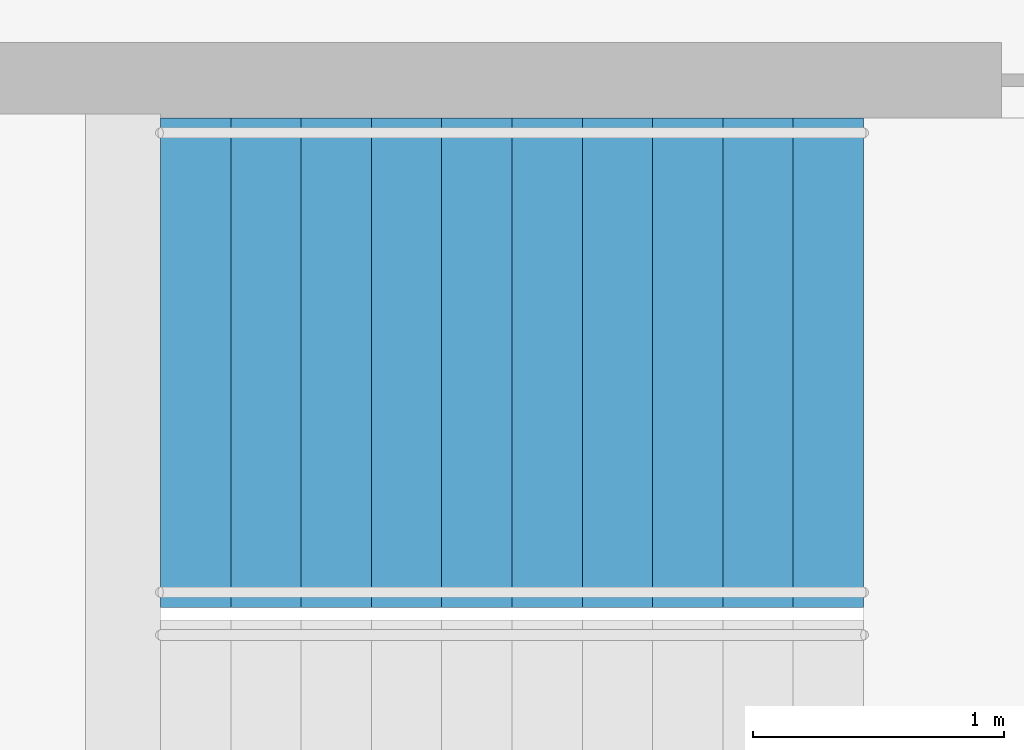
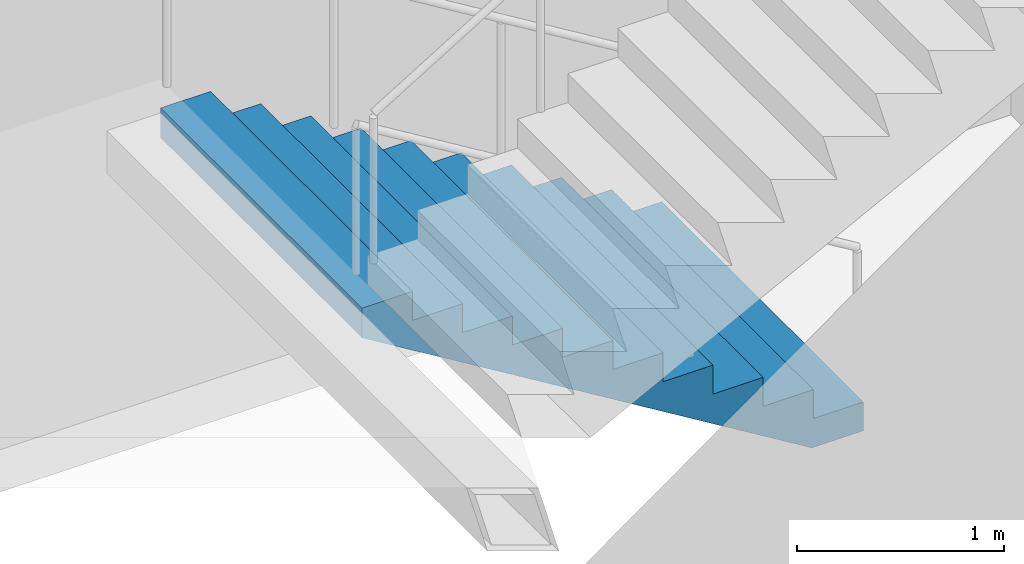
# One storey, part 22 of 23: 1 stair flight, 1 element without a shape of its own.
"""IFC4 building model written with IfcOpenShell, lengths in metres."""

from ifc_helpers import new_model, si_unit, direction, frame, origin, place, context, subcontext, project, spatial, triangles, material, type_object, element, aggregate, save


model = new_model("IFC4")

# Units and contexts
model_context = context("Model", 3, precision=1e-05, world=origin(), true_north=direction((0.0, 1.0)))
body_context = subcontext(model_context, "Body", "Model", "MODEL_VIEW")
ifc_project = project(units=[si_unit("LENGTHUNIT", "METRE"), si_unit("AREAUNIT", "SQUARE_METRE"), si_unit("VOLUMEUNIT", "CUBIC_METRE"), si_unit("PLANEANGLEUNIT", "RADIAN"), si_unit("MASSUNIT", "GRAM", prefix="KILO")], contexts=[model_context])

# Site, building, storey
site_placement = place(None, origin())
site = spatial("IfcSite", under=ifc_project, at=site_placement, CompositionType="ELEMENT")
building_placement = place(site_placement, origin())
building = spatial("IfcBuilding", under=site, at=building_placement, Name="Orbita Commons", CompositionType="ELEMENT")
storey_placement = place(building_placement, frame((0.0, 0.0, 50.199951171875)))
storey = spatial("IfcBuildingStorey", under=building, at=storey_placement, Name="L12", CompositionType="ELEMENT", Elevation=50.199951171875)

# Stair, stair flight
ifc_material_1 = material(Name="Precast concrete C40/50", Category="concrete")
stair_type = type_object("IfcStairType", Name="Exit stair S2 2 flights 11 risers 170", PredefinedType="HALF_TURN_STAIR", material=ifc_material_1)
stair_placement = place(storey_placement, origin())
stair = element("IfcStair", 1, at=stair_placement, inside=storey, type_object=stair_type, Name="Exit stair S2 L12", PredefinedType="HALF_TURN_STAIR")
ifc_material_2 = material(Name="Precast concrete C40/50", Category="concrete")
stair_flight_type = type_object("IfcStairFlightType", Name="Stair flight 11 risers 170 x 280", PredefinedType="STRAIGHT", material=ifc_material_2)
stair_flight_placement = place(storey_placement, frame((63.550048828125, 29.27490234375, 0.0), z_axis=(0.0, 0.0, 1.0), x_axis=(-1.0, 0.0, 0.0)))
stair_flight = element("IfcStairFlight", 2, at=stair_flight_placement, type_object=stair_flight_type, Name="S2 flight 1", NumberOfRisers=11, NumberOfTreads=10, PredefinedType="STRAIGHT", RiserHeight=0.170454545, TreadLength=0.28, context=body_context, shape_type="Tessellation", body=[
    triangles([(0.0, 0.974976, 0.0), (0.0, 0.974976, 0.021307), (0.0, 0.81248, 0.021307), (0.0, 0.81248, 0.0), (0.0, 0.649984, 0.021307), (0.0, 0.649984, 0.0), (0.0, 0.487488, 0.021307), (0.0, 0.487488, 0.0), (0.0, 0.324992, 0.021307), (0.0, 0.324992, 0.0), (0.0, 0.162496, 0.021307), (0.0, 0.162496, 0.0), (0.0, 0.0, 0.021307), (0.0, 0.0, 0.0), (0.0, -0.162496, 0.021307), (0.0, -0.162496, 0.0), (0.0, -0.324992, 0.021307), (0.0, -0.324992, 0.0), (0.0, -0.487488, 0.021307), (0.0, -0.487488, 0.0), (0.0, -0.649984, 0.021307), (0.0, -0.649984, 0.0), (0.0, -0.81248, 0.021307), (0.0, -0.81248, 0.0), (0.0, -0.974976, 0.021307), (0.0, -0.974976, 0.0), (0.0, 0.974976, 0.042614), (0.0, 0.81248, 0.042614), (0.0, 0.649984, 0.042614), (0.0, 0.487488, 0.042614), (0.0, 0.324992, 0.042614), (0.0, 0.162496, 0.042614), (0.0, 0.0, 0.042614), (0.0, -0.162496, 0.042614), (0.0, -0.324992, 0.042614), (0.0, -0.487488, 0.042614), (0.0, -0.649984, 0.042614), (0.0, -0.81248, 0.042614), (0.0, -0.974976, 0.042614), (0.0, 0.974976, 0.06392), (0.0, 0.81248, 0.06392), (0.0, 0.649984, 0.06392), (0.0, 0.487488, 0.06392), (0.0, 0.324992, 0.06392), (0.0, 0.162496, 0.06392), (0.0, 0.0, 0.06392), (0.0, -0.162496, 0.06392), (0.0, -0.324992, 0.06392), (0.0, -0.487488, 0.06392), (0.0, -0.649984, 0.06392), (0.0, -0.81248, 0.06392), (0.0, -0.974976, 0.06392), (0.0, 0.974976, 0.085227), (0.0, 0.81248, 0.085227), (0.0, 0.649984, 0.085227), (0.0, 0.487488, 0.085227), (0.0, 0.324992, 0.085227), (0.0, 0.162496, 0.085227), (0.0, 0.0, 0.085227), (0.0, -0.162496, 0.085227), (0.0, -0.324992, 0.085227), (0.0, -0.487488, 0.085227), (0.0, -0.649984, 0.085227), (0.0, -0.81248, 0.085227), (0.0, -0.974976, 0.085227), (0.0, 0.974976, 0.106534), (0.0, 0.81248, 0.106534), (0.0, 0.649984, 0.106534), (0.0, 0.487488, 0.106534), (0.0, 0.324992, 0.106534), (0.0, 0.162496, 0.106534), (0.0, 0.0, 0.106534), (0.0, -0.162496, 0.106534), (0.0, -0.324992, 0.106534), (0.0, -0.487488, 0.106534), (0.0, -0.649984, 0.106534), (0.0, -0.81248, 0.106534), (0.0, -0.974976, 0.106534), (0.0, 0.974976, 0.127841), (0.0, 0.81248, 0.127841), (0.0, 0.649984, 0.127841), (0.0, 0.487488, 0.127841), (0.0, 0.324992, 0.127841), (0.0, 0.162496, 0.127841), (0.0, 0.0, 0.127841), (0.0, -0.162496, 0.127841), (0.0, -0.324992, 0.127841), (0.0, -0.487488, 0.127841), (0.0, -0.649984, 0.127841), (0.0, -0.81248, 0.127841), (0.0, -0.974976, 0.127841), (0.0, 0.974976, 0.149148), (0.0, 0.81248, 0.149148), (0.0, 0.649984, 0.149148), (0.0, 0.487488, 0.149148), (0.0, 0.324992, 0.149148), (0.0, 0.162496, 0.149148), (0.0, 0.0, 0.149148), (0.0, -0.162496, 0.149148), (0.0, -0.324992, 0.149148), (0.0, -0.487488, 0.149148), (0.0, -0.649984, 0.149148), (0.0, -0.81248, 0.149148), (0.0, -0.974976, 0.149148), (0.0, 0.974976, 0.170455), (0.0, 0.81248, 0.170455), (0.0, 0.649984, 0.170455), (0.0, 0.487488, 0.170455), (0.0, 0.324992, 0.170455), (0.0, 0.162496, 0.170455), (0.0, 0.0, 0.170455), (0.0, -0.162496, 0.170455), (0.0, -0.324992, 0.170455), (0.0, -0.487488, 0.170455), (0.0, -0.649984, 0.170455), (0.0, -0.81248, 0.170455), (0.0, -0.974976, 0.170455), (0.28, 0.974976, 0.170455), (0.28, 0.81248, 0.170455), (0.28, 0.649984, 0.170455), (0.28, 0.487488, 0.170455), (0.28, 0.324992, 0.170455), (0.28, 0.162496, 0.170455), (0.28, 0.0, 0.170455), (0.28, -0.162496, 0.170455), (0.28, -0.324992, 0.170455), (0.28, -0.487488, 0.170455), (0.28, -0.649984, 0.170455), (0.28, -0.81248, 0.170455), (0.28, -0.974976, 0.170455), (0.28, 0.974976, 0.340909), (0.28, 0.81248, 0.340909), (0.28, 0.649984, 0.340909), (0.28, 0.487488, 0.340909), (0.28, 0.324992, 0.340909), (0.28, 0.162496, 0.340909), (0.28, 0.0, 0.340909), (0.28, -0.162496, 0.340909), (0.28, -0.324992, 0.340909), (0.28, -0.487488, 0.340909), (0.28, -0.649984, 0.340909), (0.28, -0.81248, 0.340909), (0.28, -0.974976, 0.340909), (0.56, 0.974976, 0.340909), (0.56, 0.81248, 0.340909), (0.56, 0.649984, 0.340909), (0.56, 0.487488, 0.340909), (0.56, 0.324992, 0.340909), (0.56, 0.162496, 0.340909), (0.56, 0.0, 0.340909), (0.56, -0.162496, 0.340909), (0.56, -0.324992, 0.340909), (0.56, -0.487488, 0.340909), (0.56, -0.649984, 0.340909), (0.56, -0.81248, 0.340909), (0.56, -0.974976, 0.340909), (0.56, 0.974976, 0.511364), (0.56, 0.81248, 0.511364), (0.56, 0.649984, 0.511364), (0.56, 0.487488, 0.511364), (0.56, 0.324992, 0.511364), (0.56, 0.162496, 0.511364), (0.56, 0.0, 0.511364), (0.56, -0.162496, 0.511364), (0.56, -0.324992, 0.511364), (0.56, -0.487488, 0.511364), (0.56, -0.649984, 0.511364), (0.56, -0.81248, 0.511364), (0.56, -0.974976, 0.511364), (0.84, 0.974976, 0.511364), (0.84, 0.81248, 0.511364), (0.84, 0.649984, 0.511364), (0.84, 0.487488, 0.511364), (0.84, 0.324992, 0.511364), (0.84, 0.162496, 0.511364), (0.84, 0.0, 0.511364), (0.84, -0.162496, 0.511364), (0.84, -0.324992, 0.511364), (0.84, -0.487488, 0.511364), (0.84, -0.649984, 0.511364), (0.84, -0.81248, 0.511364), (0.84, -0.974976, 0.511364), (0.84, 0.974976, 0.681818), (0.84, 0.81248, 0.681818), (0.84, 0.649984, 0.681818), (0.84, 0.487488, 0.681818), (0.84, 0.324992, 0.681818), (0.84, 0.162496, 0.681818), (0.84, 0.0, 0.681818), (0.84, -0.162496, 0.681818), (0.84, -0.324992, 0.681818), (0.84, -0.487488, 0.681818), (0.84, -0.649984, 0.681818), (0.84, -0.81248, 0.681818), (0.84, -0.974976, 0.681818), (1.12, 0.974976, 0.681818), (1.12, 0.81248, 0.681818), (1.12, 0.649984, 0.681818), (1.12, 0.487488, 0.681818), (1.12, 0.324992, 0.681818), (1.12, 0.162496, 0.681818), (1.12, 0.0, 0.681818), (1.12, -0.162496, 0.681818), (1.12, -0.324992, 0.681818), (1.12, -0.487488, 0.681818), (1.12, -0.649984, 0.681818), (1.12, -0.81248, 0.681818), (1.12, -0.974976, 0.681818), (1.12, 0.974976, 0.852273), (1.12, 0.81248, 0.852273), (1.12, 0.649984, 0.852273), (1.12, 0.487488, 0.852273), (1.12, 0.324992, 0.852273), (1.12, 0.162496, 0.852273), (1.12, 0.0, 0.852273), (1.12, -0.162496, 0.852273), (1.12, -0.324992, 0.852273), (1.12, -0.487488, 0.852273), (1.12, -0.649984, 0.852273), (1.12, -0.81248, 0.852273), (1.12, -0.974976, 0.852273), (1.4, 0.974976, 0.852273), (1.4, 0.81248, 0.852273), (1.4, 0.649984, 0.852273), (1.4, 0.487488, 0.852273), (1.4, 0.324992, 0.852273), (1.4, 0.162496, 0.852273), (1.4, 0.0, 0.852273), (1.4, -0.162496, 0.852273), (1.4, -0.324992, 0.852273), (1.4, -0.487488, 0.852273), (1.4, -0.649984, 0.852273), (1.4, -0.81248, 0.852273), (1.4, -0.974976, 0.852273), (1.4, 0.974976, 1.022727), (1.4, 0.81248, 1.022727), (1.4, 0.649984, 1.022727), (1.4, 0.487488, 1.022727), (1.4, 0.324992, 1.022727), (1.4, 0.162496, 1.022727), (1.4, 0.0, 1.022727), (1.4, -0.162496, 1.022727), (1.4, -0.324992, 1.022727), (1.4, -0.487488, 1.022727), (1.4, -0.649984, 1.022727), (1.4, -0.81248, 1.022727), (1.4, -0.974976, 1.022727), (1.68, 0.974976, 1.022727), (1.68, 0.81248, 1.022727), (1.68, 0.649984, 1.022727), (1.68, 0.487488, 1.022727), (1.68, 0.324992, 1.022727), (1.68, 0.162496, 1.022727), (1.68, 0.0, 1.022727), (1.68, -0.162496, 1.022727), (1.68, -0.324992, 1.022727), (1.68, -0.487488, 1.022727), (1.68, -0.649984, 1.022727), (1.68, -0.81248, 1.022727), (1.68, -0.974976, 1.022727), (1.68, 0.974976, 1.193182), (1.68, 0.81248, 1.193182), (1.68, 0.649984, 1.193182), (1.68, 0.487488, 1.193182), (1.68, 0.324992, 1.193182), (1.68, 0.162496, 1.193182), (1.68, 0.0, 1.193182), (1.68, -0.162496, 1.193182), (1.68, -0.324992, 1.193182), (1.68, -0.487488, 1.193182), (1.68, -0.649984, 1.193182), (1.68, -0.81248, 1.193182), (1.68, -0.974976, 1.193182), (1.96, 0.974976, 1.193182), (1.96, 0.81248, 1.193182), (1.96, 0.649984, 1.193182), (1.96, 0.487488, 1.193182), (1.96, 0.324992, 1.193182), (1.96, 0.162496, 1.193182), (1.96, 0.0, 1.193182), (1.96, -0.162496, 1.193182), (1.96, -0.324992, 1.193182), (1.96, -0.487488, 1.193182), (1.96, -0.649984, 1.193182), (1.96, -0.81248, 1.193182), (1.96, -0.974976, 1.193182), (1.96, 0.974976, 1.363636), (1.96, 0.81248, 1.363636), (1.96, 0.649984, 1.363636), (1.96, 0.487488, 1.363636), (1.96, 0.324992, 1.363636), (1.96, 0.162496, 1.363636), (1.96, 0.0, 1.363636), (1.96, -0.162496, 1.363636), (1.96, -0.324992, 1.363636), (1.96, -0.487488, 1.363636), (1.96, -0.649984, 1.363636), (1.96, -0.81248, 1.363636), (1.96, -0.974976, 1.363636), (2.24, 0.974976, 1.363636), (2.24, 0.81248, 1.363636), (2.24, 0.649984, 1.363636), (2.24, 0.487488, 1.363636), (2.24, 0.324992, 1.363636), (2.24, 0.162496, 1.363636), (2.24, 0.0, 1.363636), (2.24, -0.162496, 1.363636), (2.24, -0.324992, 1.363636), (2.24, -0.487488, 1.363636), (2.24, -0.649984, 1.363636), (2.24, -0.81248, 1.363636), (2.24, -0.974976, 1.363636), (2.24, 0.974976, 1.534091), (2.24, 0.81248, 1.534091), (2.24, 0.649984, 1.534091), (2.24, 0.487488, 1.534091), (2.24, 0.324992, 1.534091), (2.24, 0.162496, 1.534091), (2.24, 0.0, 1.534091), (2.24, -0.162496, 1.534091), (2.24, -0.324992, 1.534091), (2.24, -0.487488, 1.534091), (2.24, -0.649984, 1.534091), (2.24, -0.81248, 1.534091), (2.24, -0.974976, 1.534091), (2.52, 0.974976, 1.534091), (2.52, 0.81248, 1.534091), (2.52, 0.649984, 1.534091), (2.52, 0.487488, 1.534091), (2.52, 0.324992, 1.534091), (2.52, 0.162496, 1.534091), (2.52, 0.0, 1.534091), (2.52, -0.162496, 1.534091), (2.52, -0.324992, 1.534091), (2.52, -0.487488, 1.534091), (2.52, -0.649984, 1.534091), (2.52, -0.81248, 1.534091), (2.52, -0.974976, 1.534091), (2.52, 0.974976, 1.704545), (2.52, 0.81248, 1.704545), (2.52, 0.649984, 1.704545), (2.52, 0.487488, 1.704545), (2.52, 0.324992, 1.704545), (2.52, 0.162496, 1.704545), (2.52, 0.0, 1.704545), (2.52, -0.162496, 1.704545), (2.52, -0.324992, 1.704545), (2.52, -0.487488, 1.704545), (2.52, -0.649984, 1.704545), (2.52, -0.81248, 1.704545), (2.52, -0.974976, 1.704545), (2.8, 0.974976, 1.704545), (2.8, 0.81248, 1.704545), (2.8, 0.649984, 1.704545), (2.8, 0.487488, 1.704545), (2.8, 0.324992, 1.704545), (2.8, 0.162496, 1.704545), (2.8, 0.0, 1.704545), (2.8, -0.162496, 1.704545), (2.8, -0.324992, 1.704545), (2.8, -0.487488, 1.704545), (2.8, -0.649984, 1.704545), (2.8, -0.81248, 1.704545), (2.8, -0.974976, 1.704545), (2.8, 0.974976, 1.682609), (2.8, 0.81248, 1.682609), (2.8, 0.649984, 1.682609), (2.8, 0.487488, 1.682609), (2.8, 0.324992, 1.682609), (2.8, 0.162496, 1.682609), (2.8, 0.0, 1.682609), (2.8, -0.162496, 1.682609), (2.8, -0.324992, 1.682609), (2.8, -0.487488, 1.682609), (2.8, -0.649984, 1.682609), (2.8, -0.81248, 1.682609), (2.8, -0.974976, 1.682609), (2.8, 0.974976, 1.660672), (2.8, 0.81248, 1.660672), (2.8, 0.649984, 1.660672), (2.8, 0.487488, 1.660672), (2.8, 0.324992, 1.660672), (2.8, 0.162496, 1.660672), (2.8, 0.0, 1.660672), (2.8, -0.162496, 1.660672), (2.8, -0.324992, 1.660672), (2.8, -0.487488, 1.660672), (2.8, -0.649984, 1.660672), (2.8, -0.81248, 1.660672), (2.8, -0.974976, 1.660672), (2.8, 0.974976, 1.638735), (2.8, 0.81248, 1.638735), (2.8, 0.649984, 1.638735), (2.8, 0.487488, 1.638735), (2.8, 0.324992, 1.638735), (2.8, 0.162496, 1.638735), (2.8, 0.0, 1.638735), (2.8, -0.162496, 1.638735), (2.8, -0.324992, 1.638735), (2.8, -0.487488, 1.638735), (2.8, -0.649984, 1.638735), (2.8, -0.81248, 1.638735), (2.8, -0.974976, 1.638735), (2.8, 0.974976, 1.616798), (2.8, 0.81248, 1.616798), (2.8, 0.649984, 1.616798), (2.8, 0.487488, 1.616798), (2.8, 0.324992, 1.616798), (2.8, 0.162496, 1.616798), (2.8, 0.0, 1.616798), (2.8, -0.162496, 1.616798), (2.8, -0.324992, 1.616798), (2.8, -0.487488, 1.616798), (2.8, -0.649984, 1.616798), (2.8, -0.81248, 1.616798), (2.8, -0.974976, 1.616798), (2.8, 0.974976, 1.594861), (2.8, 0.81248, 1.594861), (2.8, 0.649984, 1.594861), (2.8, 0.487488, 1.594861), (2.8, 0.324992, 1.594861), (2.8, 0.162496, 1.594861), (2.8, 0.0, 1.594861), (2.8, -0.162496, 1.594861), (2.8, -0.324992, 1.594861), (2.8, -0.487488, 1.594861), (2.8, -0.649984, 1.594861), (2.8, -0.81248, 1.594861), (2.8, -0.974976, 1.594861), (2.8, 0.974976, 1.572925), (2.8, 0.81248, 1.572925), (2.8, 0.649984, 1.572925), (2.8, 0.487488, 1.572925), (2.8, 0.324992, 1.572925), (2.8, 0.162496, 1.572925), (2.8, 0.0, 1.572925), (2.8, -0.162496, 1.572925), (2.8, -0.324992, 1.572925), (2.8, -0.487488, 1.572925), (2.8, -0.649984, 1.572925), (2.8, -0.81248, 1.572925), (2.8, -0.974976, 1.572925), (2.8, 0.974976, 1.550988), (2.8, 0.81248, 1.550988), (2.8, 0.649984, 1.550988), (2.8, 0.487488, 1.550988), (2.8, 0.324992, 1.550988), (2.8, 0.162496, 1.550988), (2.8, 0.0, 1.550988), (2.8, -0.162496, 1.550988), (2.8, -0.324992, 1.550988), (2.8, -0.487488, 1.550988), (2.8, -0.649984, 1.550988), (2.8, -0.81248, 1.550988), (2.8, -0.974976, 1.550988), (2.8, 0.974976, 1.529051), (2.8, 0.81248, 1.529051), (2.8, 0.649984, 1.529051), (2.8, 0.487488, 1.529051), (2.8, 0.324992, 1.529051), (2.8, 0.162496, 1.529051), (2.8, 0.0, 1.529051), (2.8, -0.162496, 1.529051), (2.8, -0.324992, 1.529051), (2.8, -0.487488, 1.529051), (2.8, -0.649984, 1.529051), (2.8, -0.81248, 1.529051), (2.8, -0.974976, 1.529051), (0.288279, 0.974976, 0.0), (0.288279, 0.81248, 0.0), (0.288279, 0.649984, 0.0), (0.288279, 0.487488, 0.0), (0.288279, 0.324992, 0.0), (0.288279, 0.162496, 0.0), (0.288279, 0.0, 0.0), (0.288279, -0.162496, 0.0), (0.288279, -0.324992, 0.0), (0.288279, -0.487488, 0.0), (0.288279, -0.649984, 0.0), (0.288279, -0.81248, 0.0), (0.288279, -0.974976, 0.0)], [[3, 2, 1], [4, 3, 1], [5, 3, 4], [6, 5, 4], [7, 5, 6], [8, 7, 6], [9, 7, 8], [10, 9, 8], [11, 9, 10], [12, 11, 10], [13, 11, 12], [14, 13, 12], [15, 13, 14], [16, 15, 14], [17, 15, 16], [18, 17, 16], [19, 17, 18], [20, 19, 18], [21, 19, 20], [22, 21, 20], [23, 21, 22], [24, 23, 22], [25, 23, 24], [26, 25, 24], [28, 27, 2], [3, 28, 2], [29, 28, 3], [5, 29, 3], [30, 29, 5], [7, 30, 5], [31, 30, 7], [9, 31, 7], [32, 31, 9], [11, 32, 9], [33, 32, 11], [13, 33, 11], [34, 33, 13], [15, 34, 13], [35, 34, 15], [17, 35, 15], [36, 35, 17], [19, 36, 17], [37, 36, 19], [21, 37, 19], [38, 37, 21], [23, 38, 21], [39, 38, 23], [25, 39, 23], [41, 40, 27], [28, 41, 27], [42, 41, 28], [29, 42, 28], [43, 42, 29], [30, 43, 29], [44, 43, 30], [31, 44, 30], [45, 44, 31], [32, 45, 31], [46, 45, 32], [33, 46, 32], [47, 46, 33], [34, 47, 33], [48, 47, 34], [35, 48, 34], [49, 48, 35], [36, 49, 35], [50, 49, 36], [37, 50, 36], [51, 50, 37], [38, 51, 37], [52, 51, 38], [39, 52, 38], [54, 53, 40], [41, 54, 40], [55, 54, 41], [42, 55, 41], [56, 55, 42], [43, 56, 42], [57, 56, 43], [44, 57, 43], [58, 57, 44], [45, 58, 44], [59, 58, 45], [46, 59, 45], [60, 59, 46], [47, 60, 46], [61, 60, 47], [48, 61, 47], [62, 61, 48], [49, 62, 48], [63, 62, 49], [50, 63, 49], [64, 63, 50], [51, 64, 50], [65, 64, 51], [52, 65, 51], [67, 66, 53], [54, 67, 53], [68, 67, 54], [55, 68, 54], [69, 68, 55], [56, 69, 55], [70, 69, 56], [57, 70, 56], [71, 70, 57], [58, 71, 57], [72, 71, 58], [59, 72, 58], [73, 72, 59], [60, 73, 59], [74, 73, 60], [61, 74, 60], [75, 74, 61], [62, 75, 61], [76, 75, 62], [63, 76, 62], [77, 76, 63], [64, 77, 63], [78, 77, 64], [65, 78, 64], [80, 79, 66], [67, 80, 66], [81, 80, 67], [68, 81, 67], [82, 81, 68], [69, 82, 68], [83, 82, 69], [70, 83, 69], [84, 83, 70], [71, 84, 70], [85, 84, 71], [72, 85, 71], [86, 85, 72], [73, 86, 72], [87, 86, 73], [74, 87, 73], [88, 87, 74], [75, 88, 74], [89, 88, 75], [76, 89, 75], [90, 89, 76], [77, 90, 76], [91, 90, 77], [78, 91, 77], [93, 92, 79], [80, 93, 79], [94, 93, 80], [81, 94, 80], [95, 94, 81], [82, 95, 81], [96, 95, 82], [83, 96, 82], [97, 96, 83], [84, 97, 83], [98, 97, 84], [85, 98, 84], [99, 98, 85], [86, 99, 85], [100, 99, 86], [87, 100, 86], [101, 100, 87], [88, 101, 87], [102, 101, 88], [89, 102, 88], [103, 102, 89], [90, 103, 89], [104, 103, 90], [91, 104, 90], [106, 105, 92], [93, 106, 92], [107, 106, 93], [94, 107, 93], [108, 107, 94], [95, 108, 94], [109, 108, 95], [96, 109, 95], [110, 109, 96], [97, 110, 96], [111, 110, 97], [98, 111, 97], [112, 111, 98], [99, 112, 98], [113, 112, 99], [100, 113, 99], [114, 113, 100], [101, 114, 100], [115, 114, 101], [102, 115, 101], [116, 115, 102], [103, 116, 102], [117, 116, 103], [104, 117, 103], [119, 118, 105], [106, 119, 105], [120, 119, 106], [107, 120, 106], [121, 120, 107], [108, 121, 107], [122, 121, 108], [109, 122, 108], [123, 122, 109], [110, 123, 109], [124, 123, 110], [111, 124, 110], [125, 124, 111], [112, 125, 111], [126, 125, 112], [113, 126, 112], [127, 126, 113], [114, 127, 113], [128, 127, 114], [115, 128, 114], [129, 128, 115], [116, 129, 115], [130, 129, 116], [117, 130, 116], [132, 131, 118], [119, 132, 118], [133, 132, 119], [120, 133, 119], [134, 133, 120], [121, 134, 120], [135, 134, 121], [122, 135, 121], [136, 135, 122], [123, 136, 122], [137, 136, 123], [124, 137, 123], [138, 137, 124], [125, 138, 124], [139, 138, 125], [126, 139, 125], [140, 139, 126], [127, 140, 126], [141, 140, 127], [128, 141, 127], [142, 141, 128], [129, 142, 128], [143, 142, 129], [130, 143, 129], [145, 144, 131], [132, 145, 131], [146, 145, 132], [133, 146, 132], [147, 146, 133], [134, 147, 133], [148, 147, 134], [135, 148, 134], [149, 148, 135], [136, 149, 135], [150, 149, 136], [137, 150, 136], [151, 150, 137], [138, 151, 137], [152, 151, 138], [139, 152, 138], [153, 152, 139], [140, 153, 139], [154, 153, 140], [141, 154, 140], [155, 154, 141], [142, 155, 141], [156, 155, 142], [143, 156, 142], [158, 157, 144], [145, 158, 144], [159, 158, 145], [146, 159, 145], [160, 159, 146], [147, 160, 146], [161, 160, 147], [148, 161, 147], [162, 161, 148], [149, 162, 148], [163, 162, 149], [150, 163, 149], [164, 163, 150], [151, 164, 150], [165, 164, 151], [152, 165, 151], [166, 165, 152], [153, 166, 152], [167, 166, 153], [154, 167, 153], [168, 167, 154], [155, 168, 154], [169, 168, 155], [156, 169, 155], [171, 170, 157], [158, 171, 157], [172, 171, 158], [159, 172, 158], [173, 172, 159], [160, 173, 159], [174, 173, 160], [161, 174, 160], [175, 174, 161], [162, 175, 161], [176, 175, 162], [163, 176, 162], [177, 176, 163], [164, 177, 163], [178, 177, 164], [165, 178, 164], [179, 178, 165], [166, 179, 165], [180, 179, 166], [167, 180, 166], [181, 180, 167], [168, 181, 167], [182, 181, 168], [169, 182, 168], [184, 183, 170], [171, 184, 170], [185, 184, 171], [172, 185, 171], [186, 185, 172], [173, 186, 172], [187, 186, 173], [174, 187, 173], [188, 187, 174], [175, 188, 174], [189, 188, 175], [176, 189, 175], [190, 189, 176], [177, 190, 176], [191, 190, 177], [178, 191, 177], [192, 191, 178], [179, 192, 178], [193, 192, 179], [180, 193, 179], [194, 193, 180], [181, 194, 180], [195, 194, 181], [182, 195, 181], [197, 196, 183], [184, 197, 183], [198, 197, 184], [185, 198, 184], [199, 198, 185], [186, 199, 185], [200, 199, 186], [187, 200, 186], [201, 200, 187], [188, 201, 187], [202, 201, 188], [189, 202, 188], [203, 202, 189], [190, 203, 189], [204, 203, 190], [191, 204, 190], [205, 204, 191], [192, 205, 191], [206, 205, 192], [193, 206, 192], [207, 206, 193], [194, 207, 193], [208, 207, 194], [195, 208, 194], [210, 209, 196], [197, 210, 196], [211, 210, 197], [198, 211, 197], [212, 211, 198], [199, 212, 198], [213, 212, 199], [200, 213, 199], [214, 213, 200], [201, 214, 200], [215, 214, 201], [202, 215, 201], [216, 215, 202], [203, 216, 202], [217, 216, 203], [204, 217, 203], [218, 217, 204], [205, 218, 204], [219, 218, 205], [206, 219, 205], [220, 219, 206], [207, 220, 206], [221, 220, 207], [208, 221, 207], [223, 222, 209], [210, 223, 209], [224, 223, 210], [211, 224, 210], [225, 224, 211], [212, 225, 211], [226, 225, 212], [213, 226, 212], [227, 226, 213], [214, 227, 213], [228, 227, 214], [215, 228, 214], [229, 228, 215], [216, 229, 215], [230, 229, 216], [217, 230, 216], [231, 230, 217], [218, 231, 217], [232, 231, 218], [219, 232, 218], [233, 232, 219], [220, 233, 219], [234, 233, 220], [221, 234, 220], [236, 235, 222], [223, 236, 222], [237, 236, 223], [224, 237, 223], [238, 237, 224], [225, 238, 224], [239, 238, 225], [226, 239, 225], [240, 239, 226], [227, 240, 226], [241, 240, 227], [228, 241, 227], [242, 241, 228], [229, 242, 228], [243, 242, 229], [230, 243, 229], [244, 243, 230], [231, 244, 230], [245, 244, 231], [232, 245, 231], [246, 245, 232], [233, 246, 232], [247, 246, 233], [234, 247, 233], [249, 248, 235], [236, 249, 235], [250, 249, 236], [237, 250, 236], [251, 250, 237], [238, 251, 237], [252, 251, 238], [239, 252, 238], [253, 252, 239], [240, 253, 239], [254, 253, 240], [241, 254, 240], [255, 254, 241], [242, 255, 241], [256, 255, 242], [243, 256, 242], [257, 256, 243], [244, 257, 243], [258, 257, 244], [245, 258, 244], [259, 258, 245], [246, 259, 245], [260, 259, 246], [247, 260, 246], [262, 261, 248], [249, 262, 248], [263, 262, 249], [250, 263, 249], [264, 263, 250], [251, 264, 250], [265, 264, 251], [252, 265, 251], [266, 265, 252], [253, 266, 252], [267, 266, 253], [254, 267, 253], [268, 267, 254], [255, 268, 254], [269, 268, 255], [256, 269, 255], [270, 269, 256], [257, 270, 256], [271, 270, 257], [258, 271, 257], [272, 271, 258], [259, 272, 258], [273, 272, 259], [260, 273, 259], [275, 274, 261], [262, 275, 261], [276, 275, 262], [263, 276, 262], [277, 276, 263], [264, 277, 263], [278, 277, 264], [265, 278, 264], [279, 278, 265], [266, 279, 265], [280, 279, 266], [267, 280, 266], [281, 280, 267], [268, 281, 267], [282, 281, 268], [269, 282, 268], [283, 282, 269], [270, 283, 269], [284, 283, 270], [271, 284, 270], [285, 284, 271], [272, 285, 271], [286, 285, 272], [273, 286, 272], [288, 287, 274], [275, 288, 274], [289, 288, 275], [276, 289, 275], [290, 289, 276], [277, 290, 276], [291, 290, 277], [278, 291, 277], [292, 291, 278], [279, 292, 278], [293, 292, 279], [280, 293, 279], [294, 293, 280], [281, 294, 280], [295, 294, 281], [282, 295, 281], [296, 295, 282], [283, 296, 282], [297, 296, 283], [284, 297, 283], [298, 297, 284], [285, 298, 284], [299, 298, 285], [286, 299, 285], [301, 300, 287], [288, 301, 287], [302, 301, 288], [289, 302, 288], [303, 302, 289], [290, 303, 289], [304, 303, 290], [291, 304, 290], [305, 304, 291], [292, 305, 291], [306, 305, 292], [293, 306, 292], [307, 306, 293], [294, 307, 293], [308, 307, 294], [295, 308, 294], [309, 308, 295], [296, 309, 295], [310, 309, 296], [297, 310, 296], [311, 310, 297], [298, 311, 297], [312, 311, 298], [299, 312, 298], [314, 313, 300], [301, 314, 300], [315, 314, 301], [302, 315, 301], [316, 315, 302], [303, 316, 302], [317, 316, 303], [304, 317, 303], [318, 317, 304], [305, 318, 304], [319, 318, 305], [306, 319, 305], [320, 319, 306], [307, 320, 306], [321, 320, 307], [308, 321, 307], [322, 321, 308], [309, 322, 308], [323, 322, 309], [310, 323, 309], [324, 323, 310], [311, 324, 310], [325, 324, 311], [312, 325, 311], [327, 326, 313], [314, 327, 313], [328, 327, 314], [315, 328, 314], [329, 328, 315], [316, 329, 315], [330, 329, 316], [317, 330, 316], [331, 330, 317], [318, 331, 317], [332, 331, 318], [319, 332, 318], [333, 332, 319], [320, 333, 319], [334, 333, 320], [321, 334, 320], [335, 334, 321], [322, 335, 321], [336, 335, 322], [323, 336, 322], [337, 336, 323], [324, 337, 323], [338, 337, 324], [325, 338, 324], [340, 339, 326], [327, 340, 326], [341, 340, 327], [328, 341, 327], [342, 341, 328], [329, 342, 328], [343, 342, 329], [330, 343, 329], [344, 343, 330], [331, 344, 330], [345, 344, 331], [332, 345, 331], [346, 345, 332], [333, 346, 332], [347, 346, 333], [334, 347, 333], [348, 347, 334], [335, 348, 334], [349, 348, 335], [336, 349, 335], [350, 349, 336], [337, 350, 336], [351, 350, 337], [338, 351, 337], [353, 352, 339], [340, 353, 339], [354, 353, 340], [341, 354, 340], [355, 354, 341], [342, 355, 341], [356, 355, 342], [343, 356, 342], [357, 356, 343], [344, 357, 343], [358, 357, 344], [345, 358, 344], [359, 358, 345], [346, 359, 345], [360, 359, 346], [347, 360, 346], [361, 360, 347], [348, 361, 347], [362, 361, 348], [349, 362, 348], [363, 362, 349], [350, 363, 349], [364, 363, 350], [351, 364, 350], [366, 365, 352], [353, 366, 352], [367, 366, 353], [354, 367, 353], [368, 367, 354], [355, 368, 354], [369, 368, 355], [356, 369, 355], [370, 369, 356], [357, 370, 356], [371, 370, 357], [358, 371, 357], [372, 371, 358], [359, 372, 358], [373, 372, 359], [360, 373, 359], [374, 373, 360], [361, 374, 360], [375, 374, 361], [362, 375, 361], [376, 375, 362], [363, 376, 362], [377, 376, 363], [364, 377, 363], [379, 378, 365], [366, 379, 365], [380, 379, 366], [367, 380, 366], [381, 380, 367], [368, 381, 367], [382, 381, 368], [369, 382, 368], [383, 382, 369], [370, 383, 369], [384, 383, 370], [371, 384, 370], [385, 384, 371], [372, 385, 371], [386, 385, 372], [373, 386, 372], [387, 386, 373], [374, 387, 373], [388, 387, 374], [375, 388, 374], [389, 388, 375], [376, 389, 375], [390, 389, 376], [377, 390, 376], [392, 391, 378], [379, 392, 378], [393, 392, 379], [380, 393, 379], [394, 393, 380], [381, 394, 380], [395, 394, 381], [382, 395, 381], [396, 395, 382], [383, 396, 382], [397, 396, 383], [384, 397, 383], [398, 397, 384], [385, 398, 384], [399, 398, 385], [386, 399, 385], [400, 399, 386], [387, 400, 386], [401, 400, 387], [388, 401, 387], [402, 401, 388], [389, 402, 388], [403, 402, 389], [390, 403, 389], [405, 404, 391], [392, 405, 391], [406, 405, 392], [393, 406, 392], [407, 406, 393], [394, 407, 393], [408, 407, 394], [395, 408, 394], [409, 408, 395], [396, 409, 395], [410, 409, 396], [397, 410, 396], [411, 410, 397], [398, 411, 397], [412, 411, 398], [399, 412, 398], [413, 412, 399], [400, 413, 399], [414, 413, 400], [401, 414, 400], [415, 414, 401], [402, 415, 401], [416, 415, 402], [403, 416, 402], [418, 417, 404], [405, 418, 404], [419, 418, 405], [406, 419, 405], [420, 419, 406], [407, 420, 406], [421, 420, 407], [408, 421, 407], [422, 421, 408], [409, 422, 408], [423, 422, 409], [410, 423, 409], [424, 423, 410], [411, 424, 410], [425, 424, 411], [412, 425, 411], [426, 425, 412], [413, 426, 412], [427, 426, 413], [414, 427, 413], [428, 427, 414], [415, 428, 414], [429, 428, 415], [416, 429, 415], [431, 430, 417], [418, 431, 417], [432, 431, 418], [419, 432, 418], [433, 432, 419], [420, 433, 419], [434, 433, 420], [421, 434, 420], [435, 434, 421], [422, 435, 421], [436, 435, 422], [423, 436, 422], [437, 436, 423], [424, 437, 423], [438, 437, 424], [425, 438, 424], [439, 438, 425], [426, 439, 425], [440, 439, 426], [427, 440, 426], [441, 440, 427], [428, 441, 427], [442, 441, 428], [429, 442, 428], [444, 443, 430], [431, 444, 430], [445, 444, 431], [432, 445, 431], [446, 445, 432], [433, 446, 432], [447, 446, 433], [434, 447, 433], [448, 447, 434], [435, 448, 434], [449, 448, 435], [436, 449, 435], [450, 449, 436], [437, 450, 436], [451, 450, 437], [438, 451, 437], [452, 451, 438], [439, 452, 438], [453, 452, 439], [440, 453, 439], [454, 453, 440], [441, 454, 440], [455, 454, 441], [442, 455, 441], [457, 456, 443], [444, 457, 443], [458, 457, 444], [445, 458, 444], [459, 458, 445], [446, 459, 445], [460, 459, 446], [447, 460, 446], [461, 460, 447], [448, 461, 447], [462, 461, 448], [449, 462, 448], [463, 462, 449], [450, 463, 449], [464, 463, 450], [451, 464, 450], [465, 464, 451], [452, 465, 451], [466, 465, 452], [453, 466, 452], [467, 466, 453], [454, 467, 453], [468, 467, 454], [455, 468, 454], [470, 469, 456], [457, 470, 456], [471, 470, 457], [458, 471, 457], [472, 471, 458], [459, 472, 458], [473, 472, 459], [460, 473, 459], [474, 473, 460], [461, 474, 460], [475, 474, 461], [462, 475, 461], [476, 475, 462], [463, 476, 462], [477, 476, 463], [464, 477, 463], [478, 477, 464], [465, 478, 464], [479, 478, 465], [466, 479, 465], [480, 479, 466], [467, 480, 466], [481, 480, 467], [468, 481, 467], [4, 1, 469], [470, 4, 469], [6, 4, 470], [471, 6, 470], [8, 6, 471], [472, 8, 471], [10, 8, 472], [473, 10, 472], [12, 10, 473], [474, 12, 473], [14, 12, 474], [475, 14, 474], [16, 14, 475], [476, 16, 475], [18, 16, 476], [477, 18, 476], [20, 18, 477], [478, 20, 477], [22, 20, 478], [479, 22, 478], [24, 22, 479], [480, 24, 479], [26, 24, 480], [481, 26, 480], [456, 469, 1], [26, 481, 468], [443, 456, 1], [26, 468, 455], [430, 443, 1], [26, 455, 442], [417, 430, 1], [26, 442, 429], [404, 417, 1], [26, 429, 416], [391, 404, 1], [26, 416, 403], [378, 391, 1], [26, 403, 390], [365, 378, 1], [26, 390, 377], [339, 352, 365], [377, 364, 351], [326, 339, 365], [377, 351, 338], [300, 313, 326], [338, 325, 312], [300, 326, 365], [377, 338, 312], [274, 287, 300], [312, 299, 286], [274, 300, 365], [377, 312, 286], [248, 261, 274], [286, 273, 260], [248, 274, 365], [377, 286, 260], [222, 235, 248], [260, 247, 234], [222, 248, 365], [377, 260, 234], [196, 209, 222], [234, 221, 208], [196, 222, 365], [377, 234, 208], [170, 183, 196], [208, 195, 182], [170, 196, 365], [377, 208, 182], [144, 157, 170], [182, 169, 156], [144, 170, 365], [377, 182, 156], [118, 131, 144], [156, 143, 130], [118, 144, 365], [377, 156, 130], [118, 365, 1], [26, 377, 130], [92, 105, 118], [130, 117, 104], [79, 92, 118], [130, 104, 91], [66, 79, 118], [130, 91, 78], [53, 66, 118], [130, 78, 65], [40, 53, 118], [130, 65, 52], [27, 40, 118], [130, 52, 39], [2, 27, 118], [130, 39, 25], [1, 2, 118], [130, 25, 26]], closed=True),
])
aggregate(stair, [stair_flight])

save(model, "model.ifc")
